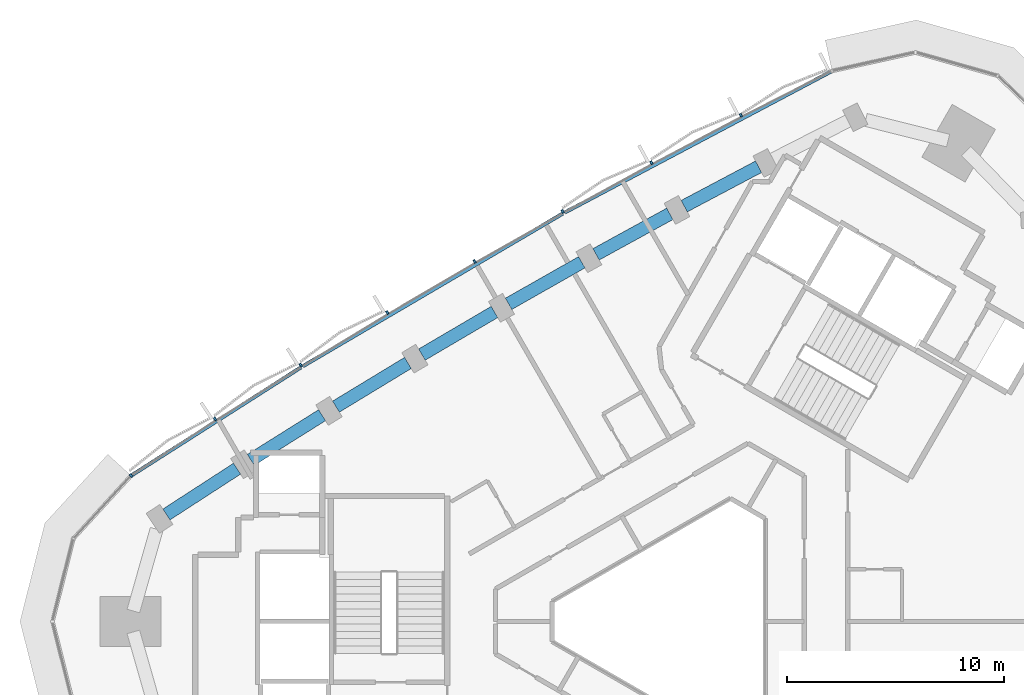
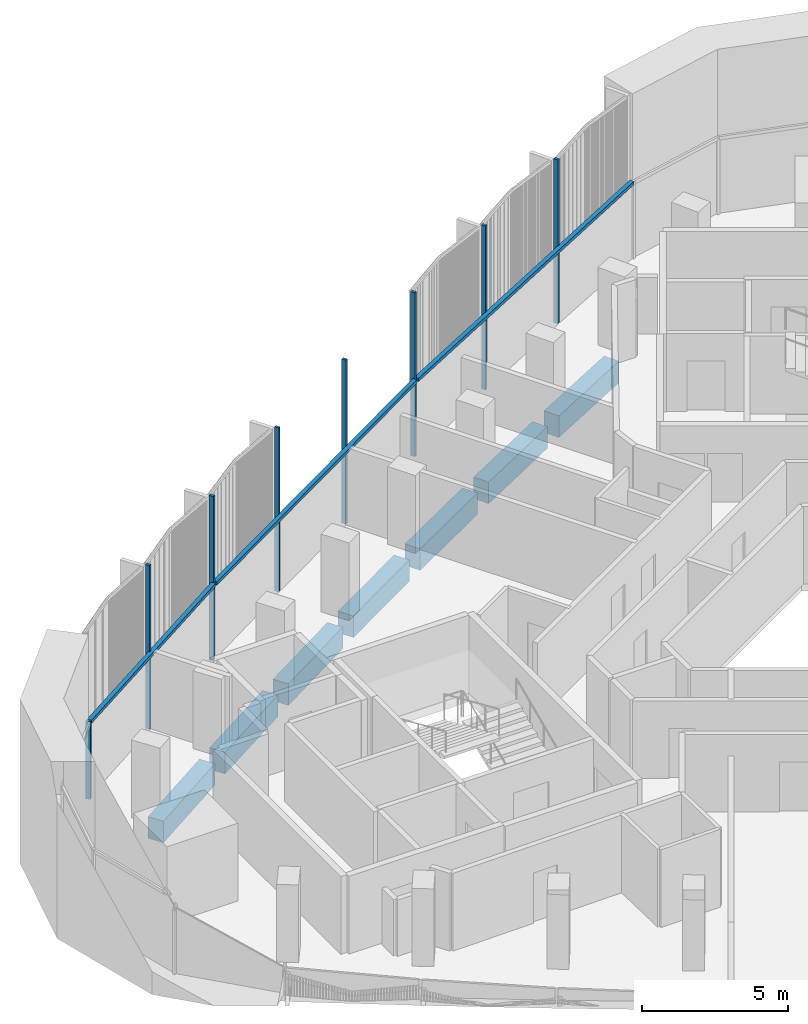
# One storey, part 5 of 16: 11 members, 7 beams, 1 element without a shape of its own.
"""IFC4 building model written with IfcOpenShell, lengths in metres."""

from ifc_helpers import new_model, si_unit, direction, frame, origin, origin_2d, place, context, subcontext, project, spatial, rectangle, extrude, material, material_profile, profile_set, type_object, element, aggregate, save


model = new_model("IFC4")

# Units and contexts
model_context = context("Model", 3, precision=1e-05, world=origin(), true_north=direction((0.0, 1.0)))
body_context = subcontext(model_context, "Body", "Model", "MODEL_VIEW")
ifc_project = project(units=[si_unit("LENGTHUNIT", "METRE"), si_unit("AREAUNIT", "SQUARE_METRE"), si_unit("VOLUMEUNIT", "CUBIC_METRE"), si_unit("PLANEANGLEUNIT", "RADIAN"), si_unit("MASSUNIT", "GRAM", prefix="KILO")], contexts=[model_context])

# Site, building, storey
site_placement = place(None, origin())
site = spatial("IfcSite", under=ifc_project, at=site_placement, CompositionType="ELEMENT")
building_placement = place(site_placement, origin())
building = spatial("IfcBuilding", under=site, at=building_placement, Name="Tamra Quay Hotel Tower", CompositionType="ELEMENT")
storey_placement = place(building_placement, frame((0.0, 0.0, 232.199951171875)))
storey = spatial("IfcBuildingStorey", under=building, at=storey_placement, Name="L58", CompositionType="ELEMENT", Elevation=232.199951171875)

# Curtain wall, members
ifc_material_1 = material(Name="Aluminium 6063 anodised dark grey", Category="aluminium")
curtain_wall_type = type_object("IfcCurtainWallType", Name="CW2 CURTAIN WALL", PredefinedType="NOTDEFINED", material=ifc_material_1)
curtain_wall_placement = place(storey_placement, origin())
curtain_wall = element("IfcCurtainWall", 1, at=curtain_wall_placement, inside=storey, type_object=curtain_wall_type, Name="CW2 north-west face L58", PredefinedType="NOTDEFINED")
ifc_material_profile_1 = material_profile(ifc_material_1, rectangle(XDim=0.169921875, YDim=0.10009765625, at=origin_2d()), Name="MULLION 100X170")
ifc_profile_set_1 = profile_set([ifc_material_profile_1], Name="Aluminium 6063 anodised dark grey")
member_type_1 = type_object("IfcMemberType", Name="MULLION CW2 Z5", PredefinedType="MULLION", material=ifc_profile_set_1)
member_1_placement = place(storey_placement, frame((2.69140625, 23.298828125, 0.0), z_axis=(0.0, 0.0, 1.0), x_axis=(-0.461344395639, 0.887221138507, 0.0)))
member_1 = element("IfcMember", 2, at=member_1_placement, type_object=member_type_1, Name="CW2 mullion L58.NW.2", PredefinedType="MULLION", context=body_context, shape_type="SweptSolid", body=[
    extrude(rectangle(XDim=0.169921875, YDim=0.10009765625, at=origin_2d()), origin(), (0.0, 0.0, 1.0), 6.85009765625),
])
member_2_placement = place(storey_placement, frame((-1.428955078125, 21.11767578125, 0.0), z_axis=(0.0, 0.0, 1.0), x_axis=(-0.474319060265, 0.880353013892, 0.0)))
member_2 = element("IfcMember", 3, at=member_2_placement, type_object=member_type_1, Name="CW2 mullion L58.NW.3", PredefinedType="MULLION", context=body_context, shape_type="SweptSolid", body=[
    extrude(rectangle(XDim=0.169921875, YDim=0.10009765625, at=origin_2d()), origin(), (0.0, 0.0, 1.0), 6.85009765625),
])
member_3_placement = place(storey_placement, frame((-5.515625, 18.877197265625, 0.0), z_axis=(0.0, 0.0, 1.0), x_axis=(-0.487204209401, 0.873288072942, 0.0)))
member_3 = element("IfcMember", 4, at=member_3_placement, type_object=member_type_1, Name="CW2 mullion L58.NW.4", PredefinedType="MULLION", context=body_context, shape_type="SweptSolid", body=[
    extrude(rectangle(XDim=0.169921875, YDim=0.10009765625, at=origin_2d()), origin(), (0.0, 0.0, 1.0), 6.85009765625),
])
member_4_placement = place(storey_placement, frame((-9.570068359375, 16.575927734375, 0.0), z_axis=(0.0, 0.0, 1.0), x_axis=(-0.5, 0.866025403784, 0.0)))
member_4 = element("IfcMember", 5, at=member_4_placement, type_object=member_type_1, Name="CW2 mullion L58.NW.5", PredefinedType="MULLION", context=body_context, shape_type="SweptSolid", body=[
    extrude(rectangle(XDim=0.169921875, YDim=0.10009765625, at=origin_2d()), origin(), (0.0, 0.0, 1.0), 6.85009765625),
])
member_5_placement = place(storey_placement, frame((-13.59033203125, 14.215087890625, 0.0), z_axis=(0.0, 0.0, 1.0), x_axis=(-0.512687551289, 0.858575258643, 0.0)))
member_5 = element("IfcMember", 6, at=member_5_placement, type_object=member_type_1, Name="CW2 mullion L58.NW.6", PredefinedType="MULLION", context=body_context, shape_type="SweptSolid", body=[
    extrude(rectangle(XDim=0.169921875, YDim=0.10009765625, at=origin_2d()), origin(), (0.0, 0.0, 1.0), 6.85009765625),
])
member_6_placement = place(storey_placement, frame((-17.573974609375, 11.79638671875, 0.0), z_axis=(0.0, 0.0, 1.0), x_axis=(-0.525248544196, 0.850948862635, 0.0)))
member_6 = element("IfcMember", 7, at=member_6_placement, type_object=member_type_1, Name="CW2 mullion L58.NW.7", PredefinedType="MULLION", context=body_context, shape_type="SweptSolid", body=[
    extrude(rectangle(XDim=0.169921875, YDim=0.10009765625, at=origin_2d()), origin(), (0.0, 0.0, 1.0), 6.85009765625),
])
member_7_placement = place(storey_placement, frame((-21.523193359375, 9.318603515625, 0.0), z_axis=(0.0, 0.0, 1.0), x_axis=(-0.537683846902, 0.84314653577, 0.0)))
member_7 = element("IfcMember", 8, at=member_7_placement, type_object=member_type_1, Name="CW2 mullion L58.NW.8", PredefinedType="MULLION", context=body_context, shape_type="SweptSolid", body=[
    extrude(rectangle(XDim=0.169921875, YDim=0.10009765625, at=origin_2d()), origin(), (0.0, 0.0, 1.0), 6.85009765625),
])
member_8_placement = place(storey_placement, frame((-25.387939453125, 6.712646484375, 0.0), z_axis=(0.0, 0.0, 1.0), x_axis=(-0.64584626761, 0.763467483665, 0.0)))
member_8 = element("IfcMember", 9, at=member_8_placement, type_object=member_type_1, Name="CW2 mullion L58.NW.9", PredefinedType="MULLION", context=body_context, shape_type="SweptSolid", body=[
    extrude(rectangle(XDim=0.169921875, YDim=0.10009765625, at=origin_2d()), origin(), (0.0, 0.0, 1.0), 3.25),
])

# Beams
ifc_material_2 = material(Name="Concrete M60", Category="concrete")
ifc_material_profile_2 = material_profile(ifc_material_2, rectangle(XDim=0.60009765625, YDim=0.89990234375, at=origin_2d()), Name="SPANDREL BEAM RC 600x900")
ifc_profile_set_2 = profile_set([ifc_material_profile_2], Name="Concrete M60")
beam_type = type_object("IfcBeamType", Name="SPANDREL BEAM RC 600x900", PredefinedType="SPANDREL", material=ifc_profile_set_2)
beam_1_placement = place(storey_placement, frame((3.5, 20.931396484375, -0.800048828125), z_axis=(-0.883803240878, -0.467858772937, 0.0), x_axis=(0.467858772937, -0.883803240878, 0.0)))
element("IfcBeam", 10, at=beam_1_placement, inside=storey, type_object=beam_type, Name="BM-SP5-011-L58", PredefinedType="SPANDREL", context=body_context, shape_type="SweptSolid", body=[
    extrude(rectangle(XDim=0.60009765625, YDim=0.89990234375, at=origin_2d()), origin(), (0.0, 0.0, 1.0), 3.875),
])
beam_2_placement = place(storey_placement, frame((-0.585205078125, 18.7626953125, -0.800048828125), z_axis=(-0.876838966376, -0.480784179279, 0.0), x_axis=(0.480784179279, -0.876838966376, 0.0)))
element("IfcBeam", 11, at=beam_2_placement, inside=storey, type_object=beam_type, Name="BM-SP5-012-L58", PredefinedType="SPANDREL", context=body_context, shape_type="SweptSolid", body=[
    extrude(rectangle(XDim=0.60009765625, YDim=0.89990234375, at=origin_2d()), origin(), (0.0, 0.0, 1.0), 3.87548828125),
])
beam_3_placement = place(storey_placement, frame((-4.638427734375, 16.533935546875, -0.800048828125), z_axis=(-0.86967787455, -0.493619686113, 0.0), x_axis=(0.493619686113, -0.86967787455, 0.0)))
element("IfcBeam", 12, at=beam_3_placement, inside=storey, type_object=beam_type, Name="BM-SP5-013-L58", PredefinedType="SPANDREL", context=body_context, shape_type="SweptSolid", body=[
    extrude(rectangle(XDim=0.60009765625, YDim=0.89990234375, at=origin_2d()), origin(), (0.0, 0.0, 1.0), 3.875244140625),
])
beam_4_placement = place(storey_placement, frame((-8.658203125, 14.24609375, -0.800048828125), z_axis=(-0.862324287816, -0.506356418585, 0.0), x_axis=(0.506356418585, -0.862324287816, 0.0)))
element("IfcBeam", 13, at=beam_4_placement, inside=storey, type_object=beam_type, Name="BM-SP5-014-L58", PredefinedType="SPANDREL", context=body_context, shape_type="SweptSolid", body=[
    extrude(rectangle(XDim=0.60009765625, YDim=0.89990234375, at=origin_2d()), origin(), (0.0, 0.0, 1.0), 3.875),
])
beam_5_placement = place(storey_placement, frame((-12.6435546875, 11.8994140625, -0.800048828125), z_axis=(-0.854785519234, -0.518981421737, 0.0), x_axis=(0.518981421737, -0.854785519234, 0.0)))
element("IfcBeam", 14, at=beam_5_placement, inside=storey, type_object=beam_type, Name="BM-SP5-015-L58", PredefinedType="SPANDREL", context=body_context, shape_type="SweptSolid", body=[
    extrude(rectangle(XDim=0.60009765625, YDim=0.89990234375, at=origin_2d()), origin(), (0.0, 0.0, 1.0), 3.875732421875),
])
beam_6_placement = place(storey_placement, frame((-16.5947265625, 9.494140625, -0.800048828125), z_axis=(-0.847066119134, -0.53148752555, 0.0), x_axis=(0.53148752555, -0.847066119134, 0.0)))
element("IfcBeam", 15, at=beam_6_placement, inside=storey, type_object=beam_type, Name="BM-SP5-016-L58", PredefinedType="SPANDREL", context=body_context, shape_type="SweptSolid", body=[
    extrude(rectangle(XDim=0.60009765625, YDim=0.89990234375, at=origin_2d()), origin(), (0.0, 0.0, 1.0), 3.875),
])
beam_7_placement = place(storey_placement, frame((-20.509521484375, 7.03125, -0.800048828125), z_axis=(-0.839181205466, -0.543851914029, 0.0), x_axis=(0.543851914029, -0.839181205466, 0.0)))
element("IfcBeam", 16, at=beam_7_placement, inside=storey, type_object=beam_type, Name="BM-SP5-017-L58", PredefinedType="SPANDREL", context=body_context, shape_type="SweptSolid", body=[
    extrude(rectangle(XDim=0.60009765625, YDim=0.89990234375, at=origin_2d()), origin(), (0.0, 0.0, 1.0), 3.87548828125),
])

# Member
ifc_material_profile_3 = material_profile(ifc_material_1, rectangle(XDim=0.169921875, YDim=0.139892578125, at=origin_2d()), Name="TRANSOM 170X140")
ifc_profile_set_3 = profile_set([ifc_material_profile_3], Name="Aluminium 6063 anodised dark grey")
member_type_2 = type_object("IfcMemberType", Name="TRANSOM CW2 Z5", PredefinedType="USERDEFINED", material=ifc_profile_set_3)
member_9_placement = place(storey_placement, frame((6.836181640625, 25.320068359375, 3.179931640625), z_axis=(-0.883811448784, -0.467843267557, 0.0), x_axis=(0.467843267557, -0.883811448784, 0.0)))
member_9 = element("IfcMember", 17, at=member_9_placement, type_object=member_type_2, Name="CW2 transom L58.NW.1", ObjectType="TRANSOM", PredefinedType="USERDEFINED", context=body_context, shape_type="SweptSolid", body=[
    extrude(rectangle(XDim=0.169921875, YDim=0.139892578125, at=origin_2d()), origin(), (0.0, 0.0, 1.0), 13.87890625),
])

member_10_placement = place(storey_placement, frame((-5.517578125, 18.7783203125, 3.179931640625), z_axis=(-0.862320117971, -0.506363519758, 0.0), x_axis=(0.506363519758, -0.862320117971, 0.0)))
member_10 = element("IfcMember", 18, at=member_10_placement, type_object=member_type_2, Name="CW2 transom L58.NW.4", ObjectType="TRANSOM", PredefinedType="USERDEFINED", context=body_context, shape_type="SweptSolid", body=[
    extrude(rectangle(XDim=0.169921875, YDim=0.139892578125, at=origin_2d()), origin(), (0.0, 0.0, 1.0), 13.8798828125),
])

member_11_placement = place(storey_placement, frame((-17.57177734375, 11.697509765625, 3.179931640625), z_axis=(-0.843142122818, -0.537690766827, 0.0), x_axis=(0.537690766827, -0.843142122818, 0.0)))
member_11 = element("IfcMember", 19, at=member_11_placement, type_object=member_type_2, Name="CW2 transom L58.NW.7", ObjectType="TRANSOM", PredefinedType="USERDEFINED", context=body_context, shape_type="SweptSolid", body=[
    extrude(rectangle(XDim=0.169921875, YDim=0.139892578125, at=origin_2d()), origin(), (0.0, 0.0, 1.0), 9.220458984375),
])

aggregate(curtain_wall, [member_9, member_1, member_2, member_3, member_10, member_4, member_5, member_6, member_11, member_7, member_8])

save(model, "model.ifc")
